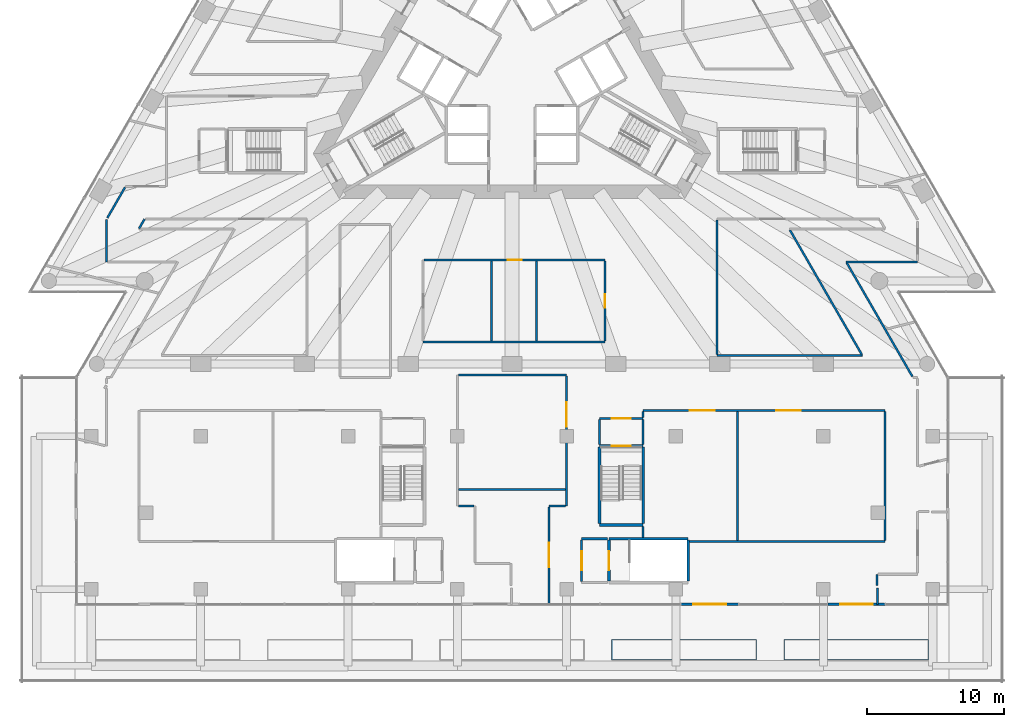
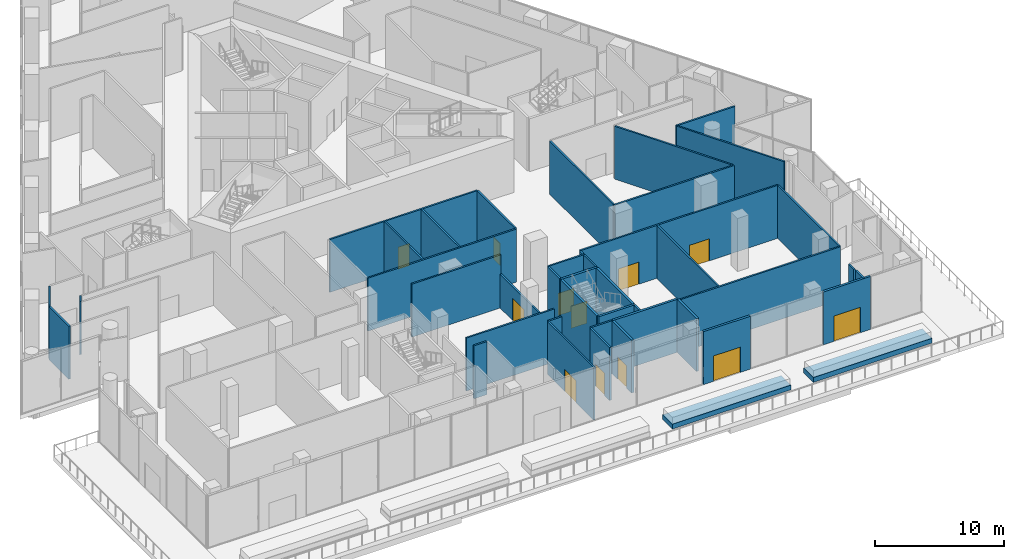
# One storey, part 22 of 32: 43 walls, 12 doors, 12 openings.
"""IFC4 building model written with IfcOpenShell, lengths in metres."""

from ifc_helpers import new_model, si_unit, direction, frame, frame_2d, origin, place, context, subcontext, project, spatial, rectangle, extrude, material, layer, layer_set, layer_usage, type_object, element, fill, save


model = new_model("IFC4")

# Units and contexts
model_context = context("Model", 3, precision=1e-05, world=origin(), true_north=direction((0.0, 1.0)))
body_context = subcontext(model_context, "Body", "Model", "MODEL_VIEW")
ifc_project = project(units=[si_unit("LENGTHUNIT", "METRE"), si_unit("AREAUNIT", "SQUARE_METRE"), si_unit("VOLUMEUNIT", "CUBIC_METRE"), si_unit("PLANEANGLEUNIT", "RADIAN"), si_unit("MASSUNIT", "GRAM", prefix="KILO")], contexts=[model_context])

# Site, building, storey
site_placement = place(None, origin())
site = spatial("IfcSite", under=ifc_project, at=site_placement, CompositionType="ELEMENT")
building_placement = place(site_placement, origin())
building = spatial("IfcBuilding", under=site, at=building_placement, Name="Triada Interchange Tower", CompositionType="ELEMENT")
storey_placement = place(building_placement, frame((0.0, 0.0, 14.5)))
storey = spatial("IfcBuildingStorey", under=building, at=storey_placement, Name="L02", CompositionType="ELEMENT", Elevation=14.5)

# Wall
ifc_material_1 = material(Name="Concrete C30/37", Category="concrete")
ifc_layer_1 = layer(ifc_material_1, 0.199951171875)
ifc_layer_set_1 = layer_set([ifc_layer_1], Name="CORE WALL 200 REI 240")
wall_type_1 = type_object("IfcWallType", Name="CORE WALL 200 REI 240", PredefinedType="SOLIDWALL", material=ifc_layer_set_1)
wall_1_placement = place(storey_placement, frame((7.10009765625, -34.39990234375, 0.0), z_axis=(0.0, 0.0, 1.0), x_axis=(1.0, 0.0, 0.0)))
element("IfcWall", 1, at=wall_1_placement, inside=storey, type_object=wall_type_1, Name="Wall L02 199", PredefinedType="SOLIDWALL", context=body_context, shape_type="SweptSolid", body=[
    extrude(rectangle(XDim=5.7998046875, YDim=0.199951171875, at=frame_2d((2.89990234375, 0.0))), origin(), (0.0, 0.0, 1.0), 5.0),
])

# Wall, opening, door
wall_2_placement = place(storey_placement, frame((6.39990234375, -27.60009765625, 0.0), z_axis=(0.0, 0.0, 1.0), x_axis=(1.0, 0.0, 0.0)))
wall_2 = element("IfcWall", 2, at=wall_2_placement, inside=storey, type_object=wall_type_1, Name="Wall L02 205", PredefinedType="SOLIDWALL", context=body_context, shape_type="SweptSolid", body=[
    extrude(rectangle(XDim=3.2001953125, YDim=0.199951171875, at=frame_2d((1.60009765625, 0.0))), origin(), (0.0, 0.0, 1.0), 5.0),
])
opening_1_placement = place(wall_2_placement, frame((0.89990234375, 0.0, 0.0)))
opening_1 = element("IfcOpeningElement", 3, at=opening_1_placement, cuts=wall_2, Name="Opening D02-19", PredefinedType="OPENING", context=body_context, shape_type="SweptSolid", body=[
    extrude(rectangle(XDim=1.39990234375, YDim=2.10009765625, at=frame_2d((0.699951171875, 1.050048828125))), frame((0.0, 0.10986328125, 0.0), z_axis=(0.0, -1.0, 0.0), x_axis=(1.0, 0.0, 0.0)), (0.0, 0.0, 1.0), 0.219970703125),
])
ifc_material_2 = material(Name="Steel S235 door leaf", Category="steel")
door_type_1 = type_object("IfcDoorType", Name="STAIR DOOR 1400 EI2 90-C5S200", OperationType="DOUBLE_DOOR_SINGLE_SWING", PredefinedType="DOOR", material=ifc_material_2)
door_1_placement = place(opening_1_placement, origin())
door_1 = element("IfcDoor", 4, at=door_1_placement, inside=storey, type_object=door_type_1, Name="Door D02-19 L02", OperationType="DOUBLE_DOOR_SINGLE_SWING", OverallHeight=2.10009765625, OverallWidth=1.39990234375, PredefinedType="DOOR", context=body_context, shape_type="SweptSolid", body=[
    extrude(rectangle(XDim=1.39990234375, YDim=2.10009765625, at=frame_2d((0.699951171875, 1.050048828125))), frame((0.0, 0.02490234375, 0.0), z_axis=(0.0, -1.0, 0.0), x_axis=(1.0, 0.0, 0.0)), (0.0, 0.0, 1.0), 0.050048828125),
])
fill(opening_1, door_1)

# Walls
wall_3_placement = place(storey_placement, frame((6.39990234375, -33.39990234375, 0.0), z_axis=(0.0, 0.0, 1.0), x_axis=(1.0, 0.0, 0.0)))
element("IfcWall", 5, at=wall_3_placement, inside=storey, type_object=wall_type_1, Name="Wall L02 208", PredefinedType="SOLIDWALL", context=body_context, shape_type="SweptSolid", body=[
    extrude(rectangle(XDim=3.2001953125, YDim=0.199951171875, at=frame_2d((1.60009765625, 0.0))), origin(), (0.0, 0.0, 1.0), 5.0),
])
for number, where, z_axis, x_axis, name in (
    (6, (6.39990234375, -33.300048828125, 0.0), (0.0, 0.0, 1.0), (0.0, 1.0, 0.0), "Wall L02 209"),
    (7, (9.60009765625, -33.300048828125, 0.0), (0.0, 0.0, 1.0), (0.0, 1.0, 0.0), "Wall L02 210"),
):
    element("IfcWall", number, at=place(storey_placement, frame(where, z_axis=z_axis, x_axis=x_axis)), inside=storey, type_object=wall_type_1, Name=name, PredefinedType="SOLIDWALL", context=body_context, shape_type="SweptSolid", body=[
        extrude(rectangle(XDim=5.60009765625, YDim=0.199951171875, at=frame_2d((2.800048828125, 0.0))), origin(), (0.0, 0.0, 1.0), 5.0),
    ])

# Wall, opening, door
wall_4_placement = place(storey_placement, frame((7.10009765625, -37.5, 0.0), z_axis=(0.0, 0.0, 1.0), x_axis=(0.0, 1.0, 0.0)))
wall_4 = element("IfcWall", 8, at=wall_4_placement, inside=storey, type_object=wall_type_1, Name="Wall L02 211", PredefinedType="SOLIDWALL", context=body_context, shape_type="SweptSolid", body=[
    extrude(rectangle(XDim=3.0, YDim=0.199951171875, at=frame_2d((1.5, 0.0))), origin(), (0.0, 0.0, 1.0), 5.0),
])
opening_2_placement = place(wall_4_placement, frame((0.800048828125, 0.0, 0.0)))
opening_2 = element("IfcOpeningElement", 9, at=opening_2_placement, cuts=wall_4, Name="Opening D02-13", PredefinedType="OPENING", context=body_context, shape_type="SweptSolid", body=[
    extrude(rectangle(XDim=1.39990234375, YDim=2.10009765625, at=frame_2d((0.699951171875, 1.050048828125))), frame((0.0, 0.10986328125, 0.0), z_axis=(0.0, -1.0, 0.0), x_axis=(1.0, 0.0, 0.0)), (0.0, 0.0, 1.0), 0.219970703125),
])
door_2_placement = place(opening_2_placement, origin())
door_2 = element("IfcDoor", 10, at=door_2_placement, inside=storey, type_object=door_type_1, Name="Door D02-13 L02", OperationType="DOUBLE_DOOR_SINGLE_SWING", OverallHeight=2.10009765625, OverallWidth=1.39990234375, PredefinedType="DOOR", context=body_context, shape_type="SweptSolid", body=[
    extrude(rectangle(XDim=1.39990234375, YDim=2.10009765625, at=frame_2d((0.699951171875, 1.050048828125))), frame((0.0, 0.02490234375, 0.0), z_axis=(0.0, -1.0, 0.0), x_axis=(1.0, 0.0, 0.0)), (0.0, 0.0, 1.0), 0.050048828125),
])
fill(opening_2, door_2)

# Wall
wall_5_placement = place(storey_placement, frame((12.89990234375, -37.5, 0.0), z_axis=(0.0, 0.0, 1.0), x_axis=(0.0, 1.0, 0.0)))
element("IfcWall", 11, at=wall_5_placement, inside=storey, type_object=wall_type_1, Name="Wall L02 212", PredefinedType="SOLIDWALL", context=body_context, shape_type="SweptSolid", body=[
    extrude(rectangle(XDim=3.0, YDim=0.199951171875, at=frame_2d((1.5, 0.0))), origin(), (0.0, 0.0, 1.0), 5.0),
])

# Wall, opening, door
ifc_material_3 = material(Name="Cement board")
ifc_layer_2 = layer(ifc_material_3, 0.02001953125, Name="Cement board cladding")
ifc_material_4 = material(Name="Sheathing board")
ifc_layer_3 = layer(ifc_material_4, 0.014892578125, Name="Sheathing board")
ifc_material_5 = material(Name="Mineral wool")
ifc_layer_4 = layer(ifc_material_5, 0.14990234375, Name="Mineral wool between steel studs")
ifc_material_6 = material(Name="Gypsum board")
ifc_layer_5 = layer(ifc_material_6, 0.014892578125, Name="Plasterboard lining")
ifc_layer_set_2 = layer_set([ifc_layer_2, ifc_layer_3, ifc_layer_4, ifc_layer_5], Name="External wall 200")
ifc_layer_usage = layer_usage(ifc_layer_set_2, "AXIS2", "POSITIVE", -0.10009765625)
wall_type_2 = type_object("IfcWallType", Name="External wall 200", PredefinedType="ELEMENTEDWALL", material=ifc_layer_set_2)
wall_6_placement = place(storey_placement, frame((12.375, -39.199951171875, 0.0), z_axis=(0.0, 0.0, 1.0), x_axis=(1.0, 0.0, 0.0)))
wall_6 = element("IfcWall", 12, at=wall_6_placement, inside=storey, type_object=wall_type_2, material=ifc_layer_usage, Name="External wall L02 00.5", PredefinedType="ELEMENTEDWALL", context=body_context, shape_type="SweptSolid", body=[
    extrude(rectangle(XDim=4.199951171875, YDim=0.199951171875, at=frame_2d((2.10009765625, 0.0))), origin(), (0.0, 0.0, 1.0), 5.0),
])
opening_3_placement = place(wall_6_placement, frame((0.89990234375, 0.0, 0.0)))
opening_3 = element("IfcOpeningElement", 13, at=opening_3_placement, cuts=wall_6, Name="Opening DX40", PredefinedType="OPENING", context=body_context, shape_type="SweptSolid", body=[
    extrude(rectangle(XDim=2.39990234375, YDim=2.39990234375, at=frame_2d((1.199951171875, 1.199951171875))), frame((0.0, 0.10986328125, 0.0), z_axis=(0.0, -1.0, 0.0), x_axis=(1.0, 0.0, 0.0)), (0.0, 0.0, 1.0), 0.219970703125),
])
ifc_material_7 = material(Name="Aluminium and glass", Category="aluminium")
door_type_2 = type_object("IfcDoorType", Name="Terrace door double", OperationType="DOUBLE_DOOR_SINGLE_SWING", PredefinedType="DOOR", material=ifc_material_7)
door_3_placement = place(opening_3_placement, frame((2.39990234375, 0.0, 0.0), z_axis=(0.0, 0.0, 1.0), x_axis=(-1.0, 0.0, 0.0)))
door_3 = element("IfcDoor", 14, at=door_3_placement, inside=storey, type_object=door_type_2, Name="Door DX40 L02", OperationType="DOUBLE_DOOR_SINGLE_SWING", OverallHeight=2.39990234375, OverallWidth=2.39990234375, PredefinedType="DOOR", context=body_context, shape_type="SweptSolid", body=[
    extrude(rectangle(XDim=2.39990234375, YDim=2.39990234375, at=frame_2d((1.199951171875, 1.199951171875))), frame((0.0, 0.02490234375, 0.0), z_axis=(0.0, -1.0, 0.0), x_axis=(1.0, 0.0, 0.0)), (0.0, 0.0, 1.0), 0.050048828125),
])
fill(opening_3, door_3)

wall_7_placement = place(storey_placement, frame((23.125, -39.199951171875, 0.0), z_axis=(0.0, 0.0, 1.0), x_axis=(1.0, 0.0, 0.0)))
wall_7 = element("IfcWall", 15, at=wall_7_placement, inside=storey, type_object=wall_type_2, material=ifc_layer_usage, Name="External wall L02 00.7", PredefinedType="ELEMENTEDWALL", context=body_context, shape_type="SweptSolid", body=[
    extrude(rectangle(XDim=4.199951171875, YDim=0.199951171875, at=frame_2d((2.10009765625, 0.0))), origin(), (0.0, 0.0, 1.0), 5.0),
])
opening_4_placement = place(wall_7_placement, frame((0.89990234375, 0.0, 0.0)))
opening_4 = element("IfcOpeningElement", 16, at=opening_4_placement, cuts=wall_7, Name="Opening DX41", PredefinedType="OPENING", context=body_context, shape_type="SweptSolid", body=[
    extrude(rectangle(XDim=2.39990234375, YDim=2.39990234375, at=frame_2d((1.199951171875, 1.199951171875))), frame((0.0, 0.10986328125, 0.0), z_axis=(0.0, -1.0, 0.0), x_axis=(1.0, 0.0, 0.0)), (0.0, 0.0, 1.0), 0.219970703125),
])
door_4_placement = place(opening_4_placement, frame((2.39990234375, 0.0, 0.0), z_axis=(0.0, 0.0, 1.0), x_axis=(-1.0, 0.0, 0.0)))
door_4 = element("IfcDoor", 17, at=door_4_placement, inside=storey, type_object=door_type_2, Name="Door DX41 L02", OperationType="DOUBLE_DOOR_SINGLE_SWING", OverallHeight=2.39990234375, OverallWidth=2.39990234375, PredefinedType="DOOR", context=body_context, shape_type="SweptSolid", body=[
    extrude(rectangle(XDim=2.39990234375, YDim=2.39990234375, at=frame_2d((1.199951171875, 1.199951171875))), frame((0.0, 0.02490234375, 0.0), z_axis=(0.0, -1.0, 0.0), x_axis=(1.0, 0.0, 0.0)), (0.0, 0.0, 1.0), 0.050048828125),
])
fill(opening_4, door_4)

ifc_material_8 = material(Name="Gypsum board partition")
ifc_layer_6 = layer(ifc_material_8, 0.14990234375)
ifc_layer_set_3 = layer_set([ifc_layer_6], Name="PARTITION 150 EI 180")
wall_type_3 = type_object("IfcWallType", Name="PARTITION 150 EI 180", PredefinedType="PARTITIONING", material=ifc_layer_set_3)
wall_8_placement = place(storey_placement, frame((6.39990234375, -25.60009765625, 0.0), z_axis=(0.0, 0.0, 1.0), x_axis=(1.0, 0.0, 0.0)))
wall_8 = element("IfcWall", 18, at=wall_8_placement, inside=storey, type_object=wall_type_3, Name="Wall L02 8", PredefinedType="PARTITIONING", context=body_context, shape_type="SweptSolid", body=[
    extrude(rectangle(XDim=3.2001953125, YDim=0.14990234375, at=frame_2d((1.60009765625, 0.0))), origin(), (0.0, 0.0, 1.0), 5.0),
])
opening_5_placement = place(wall_8_placement, frame((0.89990234375, 0.0, 0.0)))
opening_5 = element("IfcOpeningElement", 19, at=opening_5_placement, cuts=wall_8, Name="Opening D02-20", PredefinedType="OPENING", context=body_context, shape_type="SweptSolid", body=[
    extrude(rectangle(XDim=1.39990234375, YDim=2.10009765625, at=frame_2d((0.699951171875, 1.050048828125))), frame((0.0, 0.0849609375, 0.0), z_axis=(0.0, -1.0, 0.0), x_axis=(1.0, 0.0, 0.0)), (0.0, 0.0, 1.0), 0.169921875),
])
door_5_placement = place(opening_5_placement, origin())
door_5 = element("IfcDoor", 20, at=door_5_placement, inside=storey, type_object=door_type_1, Name="Door D02-20 L02", OperationType="DOUBLE_DOOR_SINGLE_SWING", OverallHeight=2.10009765625, OverallWidth=1.39990234375, PredefinedType="DOOR", context=body_context, shape_type="SweptSolid", body=[
    extrude(rectangle(XDim=1.39990234375, YDim=2.10009765625, at=frame_2d((0.699951171875, 1.050048828125))), frame((0.0, 0.02490234375, 0.0), z_axis=(0.0, -1.0, 0.0), x_axis=(1.0, 0.0, 0.0)), (0.0, 0.0, 1.0), 0.050048828125),
])
fill(opening_5, door_5)

# Walls
wall_9_placement = place(storey_placement, frame((5.10009765625, -34.39990234375, 0.0), z_axis=(0.0, 0.0, 1.0), x_axis=(1.0, 0.0, 0.0)))
element("IfcWall", 21, at=wall_9_placement, inside=storey, type_object=wall_type_3, Name="Wall L02 11", PredefinedType="PARTITIONING", context=body_context, shape_type="SweptSolid", body=[
    extrude(rectangle(XDim=1.89990234375, YDim=0.14990234375, at=frame_2d((0.949951171875, 0.0))), origin(), (0.0, 0.0, 1.0), 5.0),
])
for number, where, z_axis, x_axis, name in (
    (22, (6.39990234375, -27.5, 0.0), (0.0, 0.0, 1.0), (0.0, 1.0, 0.0), "Wall L02 15"),
    (23, (9.60009765625, -27.5, 0.0), (0.0, 0.0, 1.0), (0.0, 1.0, 0.0), "Wall L02 16"),
):
    element("IfcWall", number, at=place(storey_placement, frame(where, z_axis=z_axis, x_axis=x_axis)), inside=storey, type_object=wall_type_3, Name=name, PredefinedType="PARTITIONING", context=body_context, shape_type="SweptSolid", body=[
        extrude(rectangle(XDim=1.824951171875, YDim=0.14990234375, at=frame_2d((0.91259765625, 0.0))), origin(), (0.0, 0.0, 1.0), 5.0),
    ])

# Wall, opening, door
wall_10_placement = place(storey_placement, frame((5.10009765625, -37.52490234375, 0.0), z_axis=(0.0, 0.0, 1.0), x_axis=(0.0, 1.0, 0.0)))
wall_10 = element("IfcWall", 24, at=wall_10_placement, inside=storey, type_object=wall_type_3, Name="Wall L02 17", PredefinedType="PARTITIONING", context=body_context, shape_type="SweptSolid", body=[
    extrude(rectangle(XDim=3.0498046875, YDim=0.14990234375, at=frame_2d((1.52490234375, 0.0))), origin(), (0.0, 0.0, 1.0), 5.0),
])
opening_6_placement = place(wall_10_placement, frame((0.824951171875, 0.0, 0.0)))
opening_6 = element("IfcOpeningElement", 25, at=opening_6_placement, cuts=wall_10, Name="Opening D02-14", PredefinedType="OPENING", context=body_context, shape_type="SweptSolid", body=[
    extrude(rectangle(XDim=1.39990234375, YDim=2.10009765625, at=frame_2d((0.699951171875, 1.050048828125))), frame((0.0, 0.0849609375, 0.0), z_axis=(0.0, -1.0, 0.0), x_axis=(1.0, 0.0, 0.0)), (0.0, 0.0, 1.0), 0.169921875),
])
door_6_placement = place(opening_6_placement, origin())
door_6 = element("IfcDoor", 26, at=door_6_placement, inside=storey, type_object=door_type_1, Name="Door D02-14 L02", OperationType="DOUBLE_DOOR_SINGLE_SWING", OverallHeight=2.10009765625, OverallWidth=1.39990234375, PredefinedType="DOOR", context=body_context, shape_type="SweptSolid", body=[
    extrude(rectangle(XDim=1.39990234375, YDim=2.10009765625, at=frame_2d((0.699951171875, 1.050048828125))), frame((0.0, 0.02490234375, 0.0), z_axis=(0.0, -1.0, 0.0), x_axis=(1.0, 0.0, 0.0)), (0.0, 0.0, 1.0), 0.050048828125),
])
fill(opening_6, door_6)

# Walls
ifc_layer_7 = layer(ifc_material_8, 0.14990234375)
ifc_layer_set_4 = layer_set([ifc_layer_7], Name="PARTITION 150 EI 90")
wall_type_4 = type_object("IfcWallType", Name="PARTITION 150 EI 90", PredefinedType="PARTITIONING", material=ifc_layer_set_4)
wall_11_placement = place(storey_placement, frame((-29.699951171875, -14.125, 0.0), z_axis=(0.0, 0.0, 1.0), x_axis=(0.0, 1.0, 0.0)))
element("IfcWall", 27, at=wall_11_placement, inside=storey, type_object=wall_type_4, Name="Wall L02 28", PredefinedType="PARTITIONING", context=body_context, shape_type="SweptSolid", body=[
    extrude(rectangle(XDim=3.0830078125, YDim=0.14990234375, at=frame_2d((1.54150390625, 0.0))), origin(), (0.0, 0.0, 1.0), 5.0),
])
wall_12_placement = place(storey_placement, frame((-29.625, -10.912109375, 0.0), z_axis=(0.0, 0.0, 1.0), x_axis=(0.499839737655, 0.866117911523, 0.0)))
element("IfcWall", 28, at=wall_12_placement, inside=storey, type_object=wall_type_4, Name="Wall L02 35", PredefinedType="PARTITIONING", context=body_context, shape_type="SweptSolid", body=[
    extrude(rectangle(XDim=2.582763671875, YDim=0.14990234375, at=frame_2d((1.29150390625, 0.0))), origin(), (0.0, 0.0, 1.0), 5.0),
])
wall_13_placement = place(storey_placement, frame((24.466064453125, -14.125, 0.0), z_axis=(0.0, 0.0, 1.0), x_axis=(1.0, 0.0, 0.0)))
element("IfcWall", 29, at=wall_13_placement, inside=storey, type_object=wall_type_4, Name="Wall L02 39", PredefinedType="PARTITIONING", context=body_context, shape_type="SweptSolid", body=[
    extrude(rectangle(XDim=5.23388671875, YDim=0.14990234375, at=frame_2d((2.616943359375, 0.0))), origin(), (0.0, 0.0, 1.0), 5.0),
])
wall_14_placement = place(storey_placement, frame((13.0, -34.60009765625, 0.0), z_axis=(0.0, 0.0, 1.0), x_axis=(1.0, 0.0, 0.0)))
element("IfcWall", 30, at=wall_14_placement, inside=storey, type_object=wall_type_4, Name="Wall L02 49", PredefinedType="PARTITIONING", context=body_context, shape_type="SweptSolid", body=[
    extrude(rectangle(XDim=14.300048828125, YDim=0.14990234375, at=frame_2d((7.14990234375, 0.0))), origin(), (0.0, 0.0, 1.0), 5.0),
])

# Wall, openings, doors
wall_15_placement = place(storey_placement, frame((9.60009765625, -25.0, 0.0), z_axis=(0.0, 0.0, 1.0), x_axis=(1.0, 0.0, 0.0)))
wall_15 = element("IfcWall", 31, at=wall_15_placement, inside=storey, type_object=wall_type_4, Name="Wall L02 53", PredefinedType="PARTITIONING", context=body_context, shape_type="SweptSolid", body=[
    extrude(rectangle(XDim=17.699951171875, YDim=0.14990234375, at=frame_2d((8.85009765625, 0.0))), origin(), (0.0, 0.0, 1.0), 5.0),
])
opening_7_placement = place(wall_15_placement, frame((3.429931640625, 0.0, 0.0)))
opening_7 = element("IfcOpeningElement", 32, at=opening_7_placement, cuts=wall_15, Name="Opening D02-25", PredefinedType="OPENING", context=body_context, shape_type="SweptSolid", body=[
    extrude(rectangle(XDim=1.800048828125, YDim=2.10009765625, at=frame_2d((0.89990234375, 1.050048828125))), frame((0.0, 0.0849609375, 0.0), z_axis=(0.0, -1.0, 0.0), x_axis=(1.0, 0.0, 0.0)), (0.0, 0.0, 1.0), 0.169921875),
])
opening_8_placement = place(wall_15_placement, frame((9.739990234375, 0.0, 0.0)))
opening_8 = element("IfcOpeningElement", 33, at=opening_8_placement, cuts=wall_15, Name="Opening D02-26", PredefinedType="OPENING", context=body_context, shape_type="SweptSolid", body=[
    extrude(rectangle(XDim=1.800048828125, YDim=2.10009765625, at=frame_2d((0.89990234375, 1.050048828125))), frame((0.0, 0.0849609375, 0.0), z_axis=(0.0, -1.0, 0.0), x_axis=(1.0, 0.0, 0.0)), (0.0, 0.0, 1.0), 0.169921875),
])
door_type_3 = type_object("IfcDoorType", Name="SHOP AND HALL ENTRANCE DOOR 1800 EI2 90-C5S200", OperationType="DOUBLE_DOOR_SINGLE_SWING", PredefinedType="DOOR", material=ifc_material_2)
door_7_placement = place(opening_7_placement, origin())
door_7 = element("IfcDoor", 34, at=door_7_placement, inside=storey, type_object=door_type_3, Name="Door D02-25 L02", OperationType="DOUBLE_DOOR_SINGLE_SWING", OverallHeight=2.10009765625, OverallWidth=1.800048828125, PredefinedType="DOOR", context=body_context, shape_type="SweptSolid", body=[
    extrude(rectangle(XDim=1.800048828125, YDim=2.10009765625, at=frame_2d((0.89990234375, 1.050048828125))), frame((0.0, 0.02490234375, 0.0), z_axis=(0.0, -1.0, 0.0), x_axis=(1.0, 0.0, 0.0)), (0.0, 0.0, 1.0), 0.050048828125),
])
fill(opening_7, door_7)
door_8_placement = place(opening_8_placement, origin())
door_8 = element("IfcDoor", 35, at=door_8_placement, inside=storey, type_object=door_type_3, Name="Door D02-26 L02", OperationType="DOUBLE_DOOR_SINGLE_SWING", OverallHeight=2.10009765625, OverallWidth=1.800048828125, PredefinedType="DOOR", context=body_context, shape_type="SweptSolid", body=[
    extrude(rectangle(XDim=1.800048828125, YDim=2.10009765625, at=frame_2d((0.89990234375, 1.050048828125))), frame((0.0, 0.02490234375, 0.0), z_axis=(0.0, -1.0, 0.0), x_axis=(1.0, 0.0, 0.0)), (0.0, 0.0, 1.0), 0.050048828125),
])
fill(opening_8, door_8)

# Walls
wall_16_placement = place(storey_placement, frame((-3.925048828125, -30.800048828125, 0.0), z_axis=(0.0, 0.0, 1.0), x_axis=(1.0, 0.0, 0.0)))
element("IfcWall", 36, at=wall_16_placement, inside=storey, type_object=wall_type_4, Name="Wall L02 64", PredefinedType="PARTITIONING", context=body_context, shape_type="SweptSolid", body=[
    extrude(rectangle(XDim=7.85009765625, YDim=0.14990234375, at=frame_2d((3.925048828125, 0.0))), origin(), (0.0, 0.0, 1.0), 5.0),
])
wall_17_placement = place(storey_placement, frame((-3.925048828125, -22.39990234375, 0.0), z_axis=(0.0, 0.0, 1.0), x_axis=(1.0, 0.0, 0.0)))
element("IfcWall", 37, at=wall_17_placement, inside=storey, type_object=wall_type_4, Name="Wall L02 66", PredefinedType="PARTITIONING", context=body_context, shape_type="SweptSolid", body=[
    extrude(rectangle(XDim=7.925048828125, YDim=0.14990234375, at=frame_2d((3.96240234375, 0.0))), origin(), (0.0, 0.0, 1.0), 5.0),
])

# Wall, opening, door
wall_18_placement = place(storey_placement, frame((4.0, -32.0, 0.0), z_axis=(0.0, 0.0, 1.0), x_axis=(0.0, 1.0, 0.0)))
wall_18 = element("IfcWall", 38, at=wall_18_placement, inside=storey, type_object=wall_type_4, Name="Wall L02 67", PredefinedType="PARTITIONING", context=body_context, shape_type="SweptSolid", body=[
    extrude(rectangle(XDim=9.52490234375, YDim=0.14990234375, at=frame_2d((4.762451171875, 0.0))), origin(), (0.0, 0.0, 1.0), 3.199951171875),
])
opening_9_placement = place(wall_18_placement, frame((5.800048828125, 0.0, 0.0)))
opening_9 = element("IfcOpeningElement", 39, at=opening_9_placement, cuts=wall_18, Name="Opening D02-36", PredefinedType="OPENING", context=body_context, shape_type="SweptSolid", body=[
    extrude(rectangle(XDim=1.800048828125, YDim=2.10009765625, at=frame_2d((0.89990234375, 1.050048828125))), frame((0.0, 0.0849609375, 0.0), z_axis=(0.0, -1.0, 0.0), x_axis=(1.0, 0.0, 0.0)), (0.0, 0.0, 1.0), 0.169921875),
])
door_9_placement = place(opening_9_placement, origin())
door_9 = element("IfcDoor", 40, at=door_9_placement, inside=storey, type_object=door_type_3, Name="Door D02-36 L02", OperationType="DOUBLE_DOOR_SINGLE_SWING", OverallHeight=2.10009765625, OverallWidth=1.800048828125, PredefinedType="DOOR", context=body_context, shape_type="SweptSolid", body=[
    extrude(rectangle(XDim=1.800048828125, YDim=2.10009765625, at=frame_2d((0.89990234375, 1.050048828125))), frame((0.0, 0.02490234375, 0.0), z_axis=(0.0, -1.0, 0.0), x_axis=(1.0, 0.0, 0.0)), (0.0, 0.0, 1.0), 0.050048828125),
])
fill(opening_9, door_9)

# Walls
wall_19_placement = place(storey_placement, frame((-3.925048828125, -32.0, 0.0), z_axis=(0.0, 0.0, 1.0), x_axis=(1.0, 0.0, 0.0)))
element("IfcWall", 41, at=wall_19_placement, inside=storey, type_object=wall_type_4, Name="Wall L02 72", PredefinedType="PARTITIONING", context=body_context, shape_type="SweptSolid", body=[
    extrude(rectangle(XDim=1.150146484375, YDim=0.14990234375, at=frame_2d((0.5751953125, 0.0))), origin(), (0.0, 0.0, 1.0), 5.0),
])
wall_20_placement = place(storey_placement, frame((2.699951171875, -32.0, 0.0), z_axis=(0.0, 0.0, 1.0), x_axis=(1.0, 0.0, 0.0)))
element("IfcWall", 42, at=wall_20_placement, inside=storey, type_object=wall_type_4, Name="Wall L02 73", PredefinedType="PARTITIONING", context=body_context, shape_type="SweptSolid", body=[
    extrude(rectangle(XDim=1.22509765625, YDim=0.14990234375, at=frame_2d((0.612548828125, 0.0))), origin(), (0.0, 0.0, 1.0), 5.0),
])
wall_21_placement = place(storey_placement, frame((-6.5, -20.0, 0.0), z_axis=(0.0, 0.0, 1.0), x_axis=(1.0, 0.0, 0.0)))
element("IfcWall", 43, at=wall_21_placement, inside=storey, type_object=wall_type_4, Name="Wall L02 74", PredefinedType="PARTITIONING", context=body_context, shape_type="SweptSolid", body=[
    extrude(rectangle(XDim=13.300048828125, YDim=0.14990234375, at=frame_2d((6.64990234375, 0.0))), origin(), (0.0, 0.0, 1.0), 5.0),
])
wall_22_placement = place(storey_placement, frame((-1.5, -19.925048828125, 0.0), z_axis=(0.0, 0.0, 1.0), x_axis=(0.0, 1.0, 0.0)))
element("IfcWall", 44, at=wall_22_placement, inside=storey, type_object=wall_type_4, Name="Wall L02 75", PredefinedType="PARTITIONING", context=body_context, shape_type="SweptSolid", body=[
    extrude(rectangle(XDim=5.85009765625, YDim=0.14990234375, at=frame_2d((2.925048828125, 0.0))), origin(), (0.0, 0.0, 1.0), 5.0),
])

# Wall, opening, door
wall_23_placement = place(storey_placement, frame((-6.425048828125, -14.0, 0.0), z_axis=(0.0, 0.0, 1.0), x_axis=(1.0, 0.0, 0.0)))
wall_23 = element("IfcWall", 45, at=wall_23_placement, inside=storey, type_object=wall_type_4, Name="Wall L02 77", PredefinedType="PARTITIONING", context=body_context, shape_type="SweptSolid", body=[
    extrude(rectangle(XDim=13.22509765625, YDim=0.14990234375, at=frame_2d((6.612548828125, 0.0))), origin(), (0.0, 0.0, 1.0), 5.0),
])
opening_10_placement = place(wall_23_placement, frame((6.125, 0.0, 0.0)))
opening_10 = element("IfcOpeningElement", 46, at=opening_10_placement, cuts=wall_23, Name="Opening D02-30", PredefinedType="OPENING", context=body_context, shape_type="SweptSolid", body=[
    extrude(rectangle(XDim=1.0, YDim=2.10009765625, at=frame_2d((0.5, 1.050048828125))), frame((0.0, 0.0849609375, 0.0), z_axis=(0.0, -1.0, 0.0), x_axis=(1.0, 0.0, 0.0)), (0.0, 0.0, 1.0), 0.169921875),
])
door_type_4 = type_object("IfcDoorType", Name="ROOM DOOR 1000 EI2 45-C5S200", OperationType="NOTDEFINED", PredefinedType="DOOR", material=ifc_material_2)
door_10_placement = place(opening_10_placement, origin())
door_10 = element("IfcDoor", 47, at=door_10_placement, inside=storey, type_object=door_type_4, Name="Door D02-30 L02", OperationType="SINGLE_SWING_RIGHT", OverallHeight=2.10009765625, OverallWidth=1.0, PredefinedType="DOOR", context=body_context, shape_type="SweptSolid", body=[
    extrude(rectangle(XDim=1.0, YDim=2.10009765625, at=frame_2d((0.5, 1.050048828125))), frame((0.0, 0.02490234375, 0.0), z_axis=(0.0, -1.0, 0.0), x_axis=(1.0, 0.0, 0.0)), (0.0, 0.0, 1.0), 0.050048828125),
])
fill(opening_10, door_10)

wall_24_placement = place(storey_placement, frame((6.800048828125, -19.925048828125, 0.0), z_axis=(0.0, 0.0, 1.0), x_axis=(0.0, 1.0, 0.0)))
wall_24 = element("IfcWall", 48, at=wall_24_placement, inside=storey, type_object=wall_type_4, Name="Wall L02 82", PredefinedType="PARTITIONING", context=body_context, shape_type="SweptSolid", body=[
    extrude(rectangle(XDim=5.85009765625, YDim=0.14990234375, at=frame_2d((2.925048828125, 0.0))), origin(), (0.0, 0.0, 1.0), 5.0),
])
opening_11_placement = place(wall_24_placement, frame((2.425048828125, 0.0, 0.0)))
opening_11 = element("IfcOpeningElement", 49, at=opening_11_placement, cuts=wall_24, Name="Opening D02-31", PredefinedType="OPENING", context=body_context, shape_type="SweptSolid", body=[
    extrude(rectangle(XDim=1.0, YDim=2.10009765625, at=frame_2d((0.5, 1.050048828125))), frame((0.0, 0.0849609375, 0.0), z_axis=(0.0, -1.0, 0.0), x_axis=(1.0, 0.0, 0.0)), (0.0, 0.0, 1.0), 0.169921875),
])
door_11_placement = place(opening_11_placement, origin())
door_11 = element("IfcDoor", 50, at=door_11_placement, inside=storey, type_object=door_type_4, Name="Door D02-31 L02", OperationType="SINGLE_SWING_RIGHT", OverallHeight=2.10009765625, OverallWidth=1.0, PredefinedType="DOOR", context=body_context, shape_type="SweptSolid", body=[
    extrude(rectangle(XDim=1.0, YDim=2.10009765625, at=frame_2d((0.5, 1.050048828125))), frame((0.0, 0.02490234375, 0.0), z_axis=(0.0, -1.0, 0.0), x_axis=(1.0, 0.0, 0.0)), (0.0, 0.0, 1.0), 0.050048828125),
])
fill(opening_11, door_11)

# Wall
wall_25_placement = place(storey_placement, frame((1.800048828125, -19.925048828125, 0.0), z_axis=(0.0, 0.0, 1.0), x_axis=(0.0, 1.0, 0.0)))
element("IfcWall", 51, at=wall_25_placement, inside=storey, type_object=wall_type_4, Name="Wall L02 83", PredefinedType="PARTITIONING", context=body_context, shape_type="SweptSolid", body=[
    extrude(rectangle(XDim=5.85009765625, YDim=0.14990234375, at=frame_2d((2.925048828125, 0.0))), origin(), (0.0, 0.0, 1.0), 5.0),
])

# Wall, opening, door
wall_26_placement = place(storey_placement, frame((2.699951171875, -39.199951171875, 0.0), z_axis=(0.0, 0.0, 1.0), x_axis=(0.0, 1.0, 0.0)))
wall_26 = element("IfcWall", 52, at=wall_26_placement, inside=storey, type_object=wall_type_4, Name="Wall L02 84", PredefinedType="PARTITIONING", context=body_context, shape_type="SweptSolid", body=[
    extrude(rectangle(XDim=7.125, YDim=0.14990234375, at=frame_2d((3.5625, 0.0))), origin(), (0.0, 0.0, 1.0), 5.0),
])
opening_12_placement = place(wall_26_placement, frame((2.699951171875, 0.0, 0.0)))
opening_12 = element("IfcOpeningElement", 53, at=opening_12_placement, cuts=wall_26, Name="Opening D02-35", PredefinedType="OPENING", context=body_context, shape_type="SweptSolid", body=[
    extrude(rectangle(XDim=1.800048828125, YDim=2.10009765625, at=frame_2d((0.89990234375, 1.050048828125))), frame((0.0, 0.0849609375, 0.0), z_axis=(0.0, -1.0, 0.0), x_axis=(1.0, 0.0, 0.0)), (0.0, 0.0, 1.0), 0.169921875),
])
door_12_placement = place(opening_12_placement, origin())
door_12 = element("IfcDoor", 54, at=door_12_placement, inside=storey, type_object=door_type_3, Name="Door D02-35 L02", OperationType="DOUBLE_DOOR_SINGLE_SWING", OverallHeight=2.10009765625, OverallWidth=1.800048828125, PredefinedType="DOOR", context=body_context, shape_type="SweptSolid", body=[
    extrude(rectangle(XDim=1.800048828125, YDim=2.10009765625, at=frame_2d((0.89990234375, 1.050048828125))), frame((0.0, 0.02490234375, 0.0), z_axis=(0.0, -1.0, 0.0), x_axis=(1.0, 0.0, 0.0)), (0.0, 0.0, 1.0), 0.050048828125),
])
fill(opening_12, door_12)

# Walls
wall_27_placement = place(storey_placement, frame((9.60009765625, -34.300048828125, 0.0), z_axis=(0.0, 0.0, 1.0), x_axis=(0.0, 1.0, 0.0)))
element("IfcWall", 55, at=wall_27_placement, inside=storey, type_object=wall_type_4, Name="Wall L02 86", PredefinedType="PARTITIONING", context=body_context, shape_type="SweptSolid", body=[
    extrude(rectangle(XDim=0.802001953125, YDim=0.14990234375, at=frame_2d((0.40087890625, 0.0))), origin(), (0.0, 0.0, 1.0), 5.0),
])
wall_28_placement = place(storey_placement, frame((9.60009765625, -25.527099609375, 0.0), z_axis=(0.0, 0.0, 1.0), x_axis=(0.0, 1.0, 0.0)))
element("IfcWall", 56, at=wall_28_placement, inside=storey, type_object=wall_type_4, Name="Wall L02 87", PredefinedType="PARTITIONING", context=body_context, shape_type="SweptSolid", body=[
    extrude(rectangle(XDim=0.4521484375, YDim=0.14990234375, at=frame_2d((0.22607421875, 0.0))), origin(), (0.0, 0.0, 1.0), 5.0),
])
for number, where, z_axis, x_axis, name in (
    (57, (27.300048828125, -34.52490234375, 0.0), (0.0, 0.0, 1.0), (0.0, 1.0, 0.0), "Wall L02 94"),
    (58, (16.5, -34.52490234375, 0.0), (0.0, 0.0, 1.0), (0.0, 1.0, 0.0), "Wall L02 95"),
):
    element("IfcWall", number, at=place(storey_placement, frame(where, z_axis=z_axis, x_axis=x_axis)), inside=storey, type_object=wall_type_4, Name=name, PredefinedType="PARTITIONING", context=body_context, shape_type="SweptSolid", body=[
        extrude(rectangle(XDim=9.449951171875, YDim=0.14990234375, at=frame_2d((4.72509765625, 0.0))), origin(), (0.0, 0.0, 1.0), 5.0),
    ])
wall_29_placement = place(storey_placement, frame((26.77490234375, -39.199951171875, 0.0), z_axis=(0.0, 0.0, 1.0), x_axis=(0.0, 1.0, 0.0)))
element("IfcWall", 59, at=wall_29_placement, inside=storey, type_object=wall_type_4, Name="Wall L02 99", PredefinedType="PARTITIONING", context=body_context, shape_type="SweptSolid", body=[
    extrude(rectangle(XDim=1.199951171875, YDim=0.14990234375, at=frame_2d((0.60009765625, 0.0))), origin(), (0.0, 0.0, 1.0), 5.0),
])
wall_30_placement = place(storey_placement, frame((26.72509765625, -37.821044921875, 0.0), z_axis=(0.0, 0.0, 1.0), x_axis=(0.0, 1.0, 0.0)))
element("IfcWall", 60, at=wall_30_placement, inside=storey, type_object=wall_type_4, Name="Wall L02 100", PredefinedType="PARTITIONING", context=body_context, shape_type="SweptSolid", body=[
    extrude(rectangle(XDim=0.821044921875, YDim=0.14990234375, at=frame_2d((0.41064453125, 0.0))), origin(), (0.0, 0.0, 1.0), 5.0),
])
wall_31_placement = place(storey_placement, frame((24.509033203125, -14.199951171875, 0.0), z_axis=(0.0, 0.0, 1.0), x_axis=(0.499960629411, -0.866048133212, 0.0)))
element("IfcWall", 61, at=wall_31_placement, inside=storey, type_object=wall_type_4, Name="Wall L02 108", PredefinedType="PARTITIONING", context=body_context, shape_type="SweptSolid", body=[
    extrude(rectangle(XDim=9.612548828125, YDim=0.14990234375, at=frame_2d((4.80615234375, 0.0))), origin(), (0.0, 0.0, 1.0), 5.0),
])
wall_32_placement = place(storey_placement, frame((-27.300048828125, -11.68505859375, 0.0), z_axis=(0.0, 0.0, 1.0), x_axis=(0.499526442893, 0.866298639529, 0.0)))
element("IfcWall", 62, at=wall_32_placement, inside=storey, type_object=wall_type_4, Name="Wall L02 111", PredefinedType="PARTITIONING", context=body_context, shape_type="SweptSolid", body=[
    extrude(rectangle(XDim=0.790771484375, YDim=0.14990234375, at=frame_2d((0.3955078125, 0.0))), origin(), (0.0, 0.0, 1.0), 5.0),
])
wall_33_placement = place(storey_placement, frame((15.0, -21.0, 0.0), z_axis=(0.0, 0.0, 1.0), x_axis=(1.0, 0.0, 0.0)))
element("IfcWall", 63, at=wall_33_placement, inside=storey, type_object=wall_type_4, Name="Wall L02 118", PredefinedType="PARTITIONING", context=body_context, shape_type="SweptSolid", body=[
    extrude(rectangle(XDim=10.6630859375, YDim=0.14990234375, at=frame_2d((5.33154296875, 0.0))), origin(), (0.0, 0.0, 1.0), 5.0),
])
wall_34_placement = place(storey_placement, frame((20.35009765625, -11.801025390625, 0.0), z_axis=(0.0, 0.0, 1.0), x_axis=(0.499894962398, -0.86608603878, 0.0)))
element("IfcWall", 64, at=wall_34_placement, inside=storey, type_object=wall_type_4, Name="Wall L02 131", PredefinedType="PARTITIONING", context=body_context, shape_type="SweptSolid", body=[
    extrude(rectangle(XDim=10.535888671875, YDim=0.14990234375, at=frame_2d((5.26806640625, 0.0))), origin(), (0.0, 0.0, 1.0), 5.0),
])
wall_35_placement = place(storey_placement, frame((15.0, -20.925048828125, 0.0), z_axis=(0.0, 0.0, 1.0), x_axis=(0.0, 1.0, 0.0)))
element("IfcWall", 65, at=wall_35_placement, inside=storey, type_object=wall_type_4, Name="Wall L02 142", PredefinedType="PARTITIONING", context=body_context, shape_type="SweptSolid", body=[
    extrude(rectangle(XDim=9.85009765625, YDim=0.14990234375, at=frame_2d((4.925048828125, 0.0))), origin(), (0.0, 0.0, 1.0), 5.0),
])
ifc_layer_8 = layer(ifc_material_1, 1.5)
ifc_layer_set_5 = layer_set([ifc_layer_8], Name="Planter bed 450")
wall_type_5 = type_object("IfcWallType", Name="Planter bed 450", PredefinedType="STANDARD", material=ifc_layer_set_5)
wall_36_placement = place(storey_placement, frame((7.300048828125, -42.530029296875, 0.0), z_axis=(0.0, 0.0, 1.0), x_axis=(1.0, 0.0, 0.0)))
element("IfcWall", 66, at=wall_36_placement, inside=storey, type_object=wall_type_5, Name="PLANTER L02 10", PredefinedType="STANDARD", context=body_context, shape_type="SweptSolid", body=[
    extrude(rectangle(XDim=10.599853515625, YDim=1.5, at=frame_2d((5.2998046875, 0.0))), origin(), (0.0, 0.0, 1.0), 0.449951171875),
])
wall_37_placement = place(storey_placement, frame((19.89990234375, -42.530029296875, 0.0), z_axis=(0.0, 0.0, 1.0), x_axis=(1.0, 0.0, 0.0)))
element("IfcWall", 67, at=wall_37_placement, inside=storey, type_object=wall_type_5, Name="PLANTER L02 11", PredefinedType="STANDARD", context=body_context, shape_type="SweptSolid", body=[
    extrude(rectangle(XDim=10.60009765625, YDim=1.5, at=frame_2d((5.300048828125, 0.0))), origin(), (0.0, 0.0, 1.0), 0.449951171875),
])

save(model, "model.ifc")
